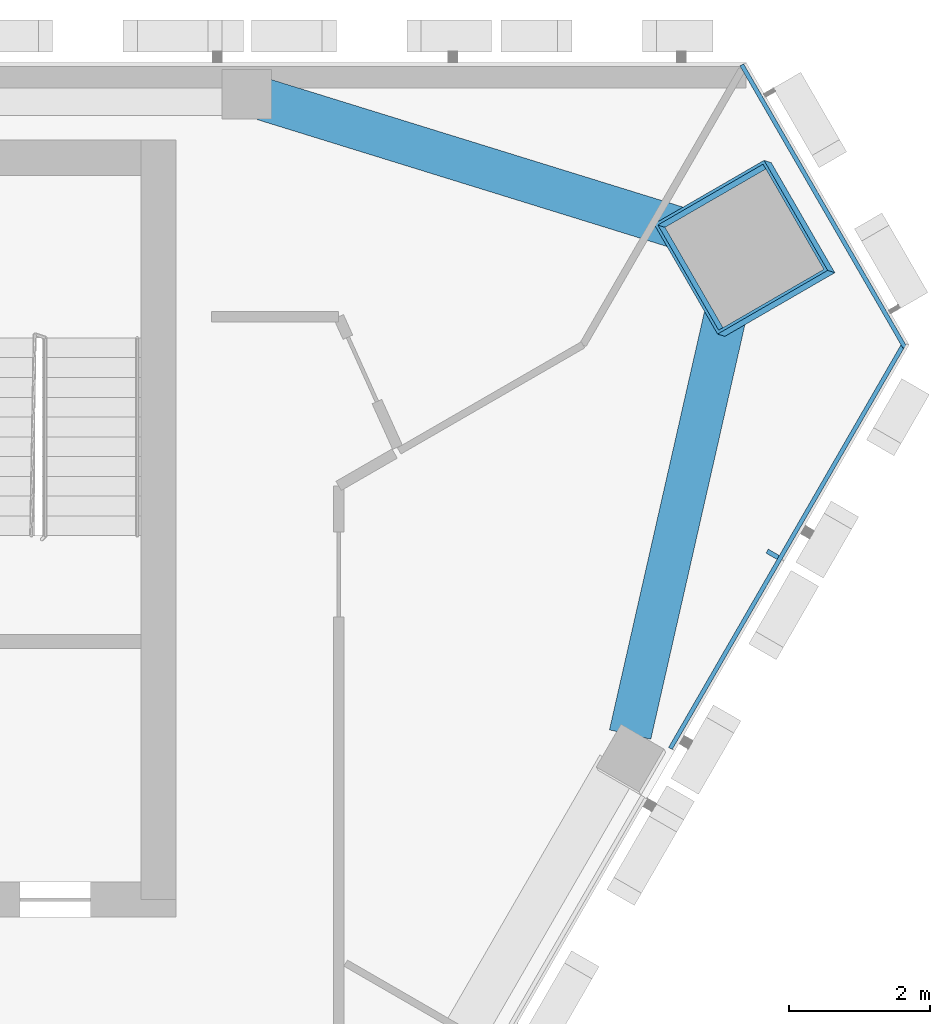
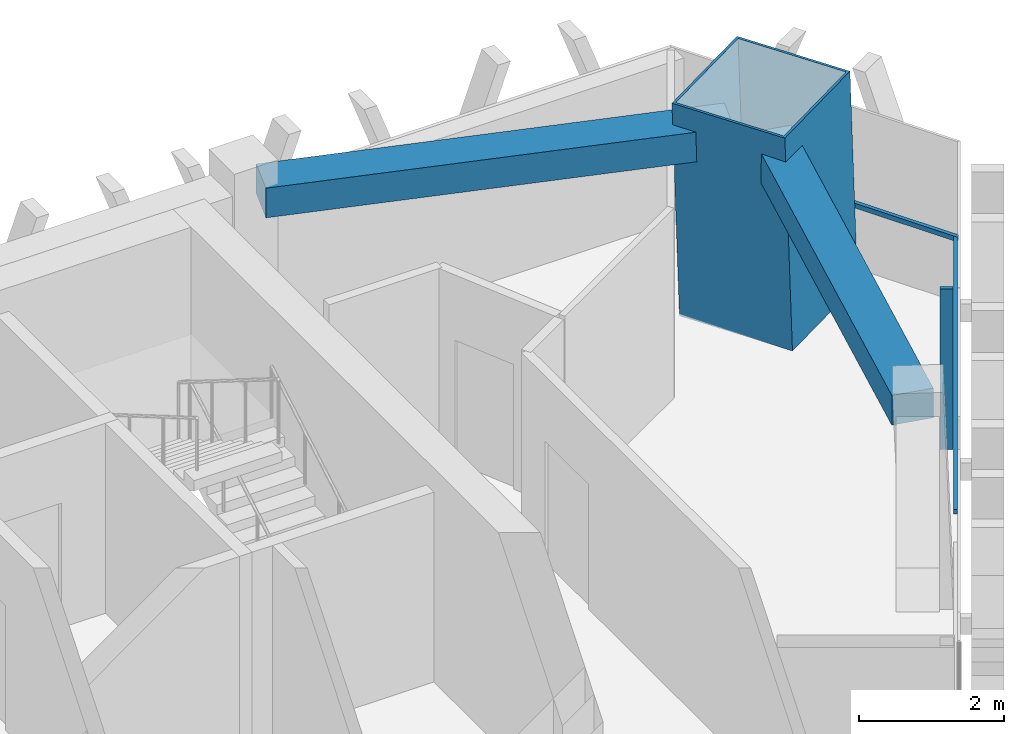
# One storey, part 6 of 12: 4 members, 2 beams, 2 elements without a shape of their own.
"""IFC4 building model written with IfcOpenShell, lengths in metres."""

from ifc_helpers import new_model, si_unit, direction, frame, origin, origin_2d, place, context, subcontext, project, spatial, rectangle, hollow_rectangle, extrude, material, layer, layer_set, material_profile, profile_set, type_object, element, aggregate, save


model = new_model("IFC4")

# Units and contexts
model_context = context("Model", 3, precision=1e-05, world=origin(), true_north=direction((0.0, 1.0)))
body_context = subcontext(model_context, "Body", "Model", "MODEL_VIEW")
ifc_project = project(units=[si_unit("LENGTHUNIT", "METRE"), si_unit("AREAUNIT", "SQUARE_METRE"), si_unit("VOLUMEUNIT", "CUBIC_METRE"), si_unit("PLANEANGLEUNIT", "RADIAN"), si_unit("MASSUNIT", "GRAM", prefix="KILO")], contexts=[model_context])

# Site, building, storey
site_placement = place(None, origin())
site = spatial("IfcSite", under=ifc_project, at=site_placement, CompositionType="ELEMENT")
building_placement = place(site_placement, origin())
building = spatial("IfcBuilding", under=site, at=building_placement, Name="Altiplano Prism Tower", CompositionType="ELEMENT")
storey_placement = place(building_placement, frame((0.0, 0.0, 278.800048828125)))
storey = spatial("IfcBuildingStorey", under=building, at=storey_placement, Name="L72", CompositionType="ELEMENT", Elevation=278.800048828125)

# Curtain wall, members
ifc_material_1 = material(Name="Aluminium and glass", Category="aluminium")
ifc_layer = layer(ifc_material_1, 0.280029296875)
ifc_layer_set = layer_set([ifc_layer], Name="Aluminium and glass")
curtain_wall_type = type_object("IfcCurtainWallType", Name="CW1 typical co-living unitised curtain wall", PredefinedType="NOTDEFINED", material=ifc_layer_set)
curtain_wall_1_placement = place(storey_placement, origin())
curtain_wall_1 = element("IfcCurtainWall", 1, at=curtain_wall_1_placement, inside=storey, type_object=curtain_wall_type, Name="CW1 curtain wall south-east face L72", PredefinedType="NOTDEFINED")
ifc_material_2 = material(Name="Aluminium", Category="aluminium")
ifc_material_profile_1 = material_profile(ifc_material_2, rectangle(XDim=0.179931640625, YDim=0.06494140625, at=origin_2d()), Name="CW1 mullion 65 x 180")
ifc_profile_set_1 = profile_set([ifc_material_profile_1], Name="Aluminium")
member_type_1 = type_object("IfcMemberType", Name="CW1 mullion 65 x 180", PredefinedType="MULLION", material=ifc_profile_set_1)
member_1_placement = place(storey_placement, frame((105.94384765625, 98.037109375, 0.0), z_axis=(0.0, 0.0, 1.0), x_axis=(-0.866025409151, 0.499999990704, 0.0)))
member_1 = element("IfcMember", 2, at=member_1_placement, type_object=member_type_1, Name="CW1 mullion", PredefinedType="MULLION", context=body_context, shape_type="SweptSolid", body=[
    extrude(rectangle(XDim=0.179931640625, YDim=0.06494140625, at=origin_2d()), origin(), (0.0, 0.0, 1.0), 2.699951171875),
])
ifc_material_profile_2 = material_profile(ifc_material_2, rectangle(XDim=0.06005859375, YDim=0.080078125, at=origin_2d()), Name="CW1 transom 80 x 60")
ifc_profile_set_2 = profile_set([ifc_material_profile_2], Name="Aluminium")
member_type_2 = type_object("IfcMemberType", Name="CW1 transom 80 x 60", PredefinedType="USERDEFINED", material=ifc_profile_set_2)
member_2_placement = place(storey_placement, frame((104.495849609375, 95.288818359375, 1.099853515625), z_axis=(0.500007942357, 0.866020818214, 0.0), x_axis=(-0.866020818214, 0.500007942357, 0.0)))
member_2 = element("IfcMember", 3, at=member_2_placement, type_object=member_type_2, Name="CW1 transom", ObjectType="TRANSOM", PredefinedType="USERDEFINED", context=body_context, shape_type="SweptSolid", body=[
    extrude(rectangle(XDim=0.06005859375, YDim=0.080078125, at=origin_2d()), origin(), (0.0, 0.0, 1.0), 6.6376953125),
])
aggregate(curtain_wall_1, [member_1, member_2])

# Curtain wall, member
curtain_wall_2_placement = place(storey_placement, origin())
curtain_wall_2 = element("IfcCurtainWall", 4, at=curtain_wall_2_placement, inside=storey, type_object=curtain_wall_type, Name="CW1 curtain wall north-east chamfer L72", PredefinedType="NOTDEFINED")
member_3_placement = place(storey_placement, frame((107.814697265625, 100.967041015625, 1.099853515625), z_axis=(-0.500012374333, 0.866018259342, 0.0), x_axis=(-0.866018259342, -0.500012374333, 0.0)))
member_3 = element("IfcMember", 5, at=member_3_placement, type_object=member_type_2, Name="CW1 transom", ObjectType="TRANSOM", PredefinedType="USERDEFINED", context=body_context, shape_type="SweptSolid", body=[
    extrude(rectangle(XDim=0.06005859375, YDim=0.080078125, at=origin_2d()), origin(), (0.0, 0.0, 1.0), 4.61669921875),
])
aggregate(curtain_wall_2, [member_3])

# Beams
ifc_material_3 = material(Name="Concrete C60/75", Category="concrete")
ifc_material_profile_3 = material_profile(ifc_material_3, rectangle(XDim=0.60009765625, YDim=0.5, at=origin_2d()), Name="Edge beam 600x500")
ifc_profile_set_3 = profile_set([ifc_material_profile_3], Name="Concrete C60/75")
beam_type = type_object("IfcBeamType", Name="Edge beam 600x500", PredefinedType="SPANDREL", material=ifc_profile_set_3)
beam_1_placement = place(storey_placement, frame((103.926513671875, 95.485595703125, 2.949951171875), z_axis=(0.221423574749, 0.975177727671, 0.0), x_axis=(-0.975177727671, 0.221423574749, 0.0)))
element("IfcBeam", 6, at=beam_1_placement, inside=storey, type_object=beam_type, Name="Edge beam P24-M2 L73", PredefinedType="SPANDREL", context=body_context, shape_type="SweptSolid", body=[
    extrude(rectangle(XDim=0.60009765625, YDim=0.5, at=origin_2d()), origin(), (0.0, 0.0, 1.0), 6.62451171875),
])
beam_2_placement = place(storey_placement, frame((105.063232421875, 102.517578125, 2.949951171875), z_axis=(-0.955249943617, 0.295799839788, 0.0), x_axis=(-0.295799839788, -0.955249943617, 0.0)))
element("IfcBeam", 7, at=beam_2_placement, inside=storey, type_object=beam_type, Name="Edge beam M2-P01 L73", PredefinedType="SPANDREL", context=body_context, shape_type="SweptSolid", body=[
    extrude(rectangle(XDim=0.60009765625, YDim=0.5, at=origin_2d()), origin(), (0.0, 0.0, 1.0), 6.624267578125),
])

# Member
ifc_material_4 = material(Name="Steel S460", Category="steel")
ifc_material_profile_4 = material_profile(ifc_material_4, hollow_rectangle(XDim=1.800048828125, YDim=1.800048828125, WallThickness=0.0400390625, at=origin_2d()), Name="Mega column tube 1800")
ifc_profile_set_4 = profile_set([ifc_material_profile_4], Name="Steel S460")
member_type_3 = type_object("IfcMemberType", Name="Mega column tube 1800", PredefinedType="POST", material=ifc_profile_set_4)
member_4_placement = place(storey_placement, frame((105.59521484375, 102.35107421875, 0.0), z_axis=(-0.028336004223, 0.009219369795, 0.999555938447), x_axis=(0.500145639136, -0.865657640444, 0.022162788488)))
element("IfcMember", 8, at=member_4_placement, inside=storey, type_object=member_type_3, Name="Mega column tube M2 L72", PredefinedType="POST", context=body_context, shape_type="SweptSolid", body=[
    extrude(hollow_rectangle(XDim=1.800048828125, YDim=1.800048828125, WallThickness=0.0400390625, at=origin_2d()), origin(), (0.0, 0.0, 1.0), 3.6015625),
])

save(model, "model.ifc")
